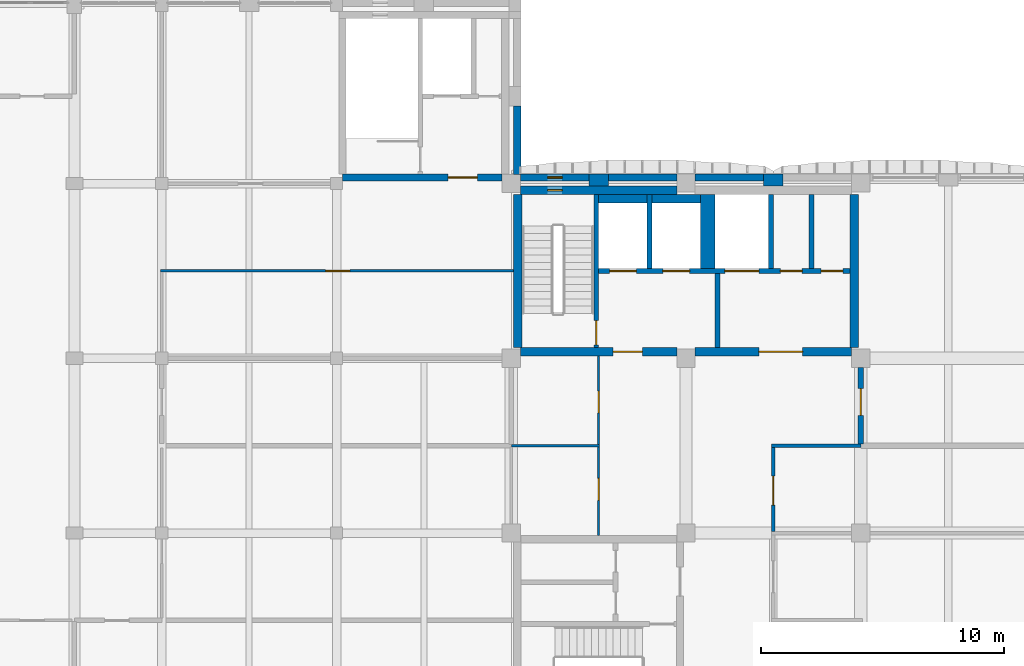
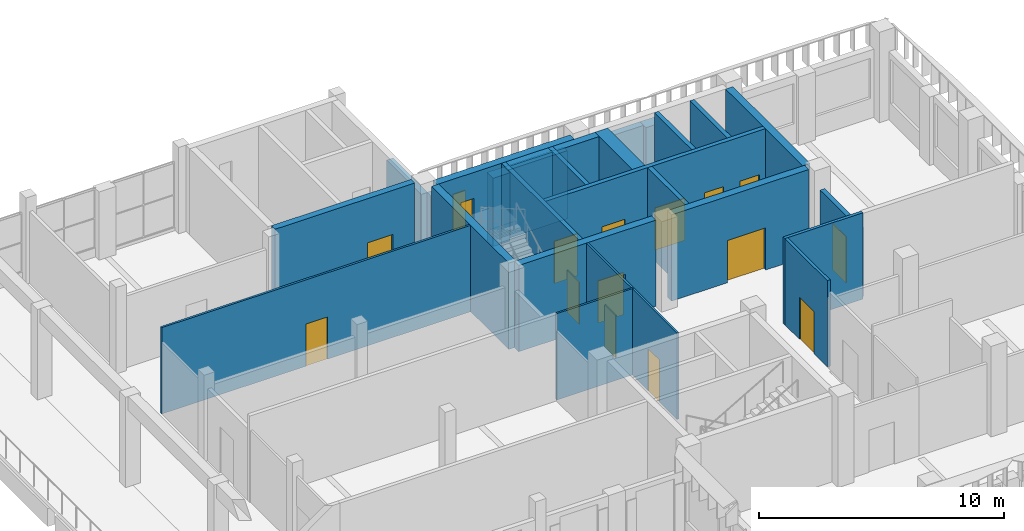
# One storey, part 21 of 54: 28 walls, 14 doors, 2 windows, 16 openings.
"""IFC4 building model written with IfcOpenShell, lengths in metres."""

from ifc_helpers import new_model, si_unit, direction, frame, frame_2d, origin, place, context, subcontext, project, spatial, rectangle, extrude, material, layer, layer_set, type_object, element, fill, save


model = new_model("IFC4")

# Units and contexts
model_context = context("Model", 3, precision=1e-05, world=origin(), true_north=direction((0.0, 1.0)))
body_context = subcontext(model_context, "Body", "Model", "MODEL_VIEW")
ifc_project = project(units=[si_unit("LENGTHUNIT", "METRE"), si_unit("AREAUNIT", "SQUARE_METRE"), si_unit("VOLUMEUNIT", "CUBIC_METRE"), si_unit("PLANEANGLEUNIT", "RADIAN"), si_unit("MASSUNIT", "GRAM", prefix="KILO")], contexts=[model_context])

# Site, building, storey
site_placement = place(None, origin())
site = spatial("IfcSite", under=ifc_project, at=site_placement, CompositionType="ELEMENT")
building_placement = place(site_placement, origin())
building = spatial("IfcBuilding", under=site, at=building_placement, Name="Ussher Court Research Institute", CompositionType="ELEMENT")
storey_placement = place(building_placement, frame((0.0, 0.0, 14.39990234375)))
storey = spatial("IfcBuildingStorey", under=building, at=storey_placement, Name="L03", CompositionType="ELEMENT", Elevation=14.39990234375)

# Wall
ifc_material_1 = material(Name="Limestone facing on blockwork", Category="masonry")
ifc_layer_1 = layer(ifc_material_1, 0.300048828125)
ifc_layer_set_1 = layer_set([ifc_layer_1], Name="Limestone facing on blockwork")
wall_type_1 = type_object("IfcWallType", Name="External wall 300 stair enclosure", PredefinedType="SOLIDWALL", material=ifc_layer_set_1)
wall_1_placement = place(storey_placement, frame((82.449951171875, 36.0, 0.0), z_axis=(0.0, 0.0, 1.0), x_axis=(0.0, -1.0, 0.0)))
element("IfcWall", 1, at=wall_1_placement, inside=storey, type_object=wall_type_1, Name="External wall EW5 L03", PredefinedType="SOLIDWALL", context=body_context, shape_type="SweptSolid", body=[
    extrude(rectangle(XDim=2.824951171875, YDim=0.300048828125, at=frame_2d((1.41259765625, 0.0))), origin(), (0.0, 0.0, 1.0), 3.400146484375),
])

# Wall, opening, window
wall_2_placement = place(storey_placement, frame((82.574951171875, 33.050048828125, 0.0), z_axis=(0.0, 0.0, 1.0), x_axis=(1.0, 0.0, 0.0)))
wall_2 = element("IfcWall", 2, at=wall_2_placement, inside=storey, type_object=wall_type_1, Name="External wall EW5 L03", PredefinedType="SOLIDWALL", context=body_context, shape_type="SweptSolid", body=[
    extrude(rectangle(XDim=2.824951171875, YDim=0.300048828125, at=frame_2d((1.41259765625, 0.0))), origin(), (0.0, 0.0, 1.0), 3.400146484375),
])
opening_1_placement = place(wall_2_placement, frame((1.125, 0.0, 1.199951171875)))
opening_1 = element("IfcOpeningElement", 3, at=opening_1_placement, cuts=wall_2, Name="Opening W25", PredefinedType="OPENING", context=body_context, shape_type="SweptSolid", body=[
    extrude(rectangle(XDim=0.60009765625, YDim=1.800048828125, at=frame_2d((0.300048828125, 0.89990234375))), frame((0.0, 0.16015625, 0.0), z_axis=(0.0, -1.0, 0.0), x_axis=(1.0, 0.0, 0.0)), (0.0, 0.0, 1.0), 0.320068359375),
])
ifc_material_2 = material(Name="Bronze anodised aluminium with double glazing", Category="aluminium")
window_type = type_object("IfcWindowType", Name="Stair light slot window 600x1800 fire-resisting glazing", PartitioningType="SINGLE_PANEL", PredefinedType="WINDOW", material=ifc_material_2)
window_1_placement = place(opening_1_placement, origin())
window_1 = element("IfcWindow", 4, at=window_1_placement, inside=storey, type_object=window_type, Name="Window W25 L03", OverallHeight=1.800048828125, OverallWidth=0.60009765625, PartitioningType="SINGLE_PANEL", PredefinedType="WINDOW", context=body_context, shape_type="SweptSolid", body=[
    extrude(rectangle(XDim=0.60009765625, YDim=1.800048828125, at=frame_2d((0.300048828125, 0.89990234375))), frame((0.0, 0.030029296875, 0.0), z_axis=(0.0, -1.0, 0.0), x_axis=(1.0, 0.0, 0.0)), (0.0, 0.0, 1.0), 0.06005859375),
])
fill(opening_1, window_1)

# Walls
wall_3_placement = place(storey_placement, frame((86.199951171875, 33.050048828125, 0.0), z_axis=(0.0, 0.0, 1.0), x_axis=(1.0, 0.0, 0.0)))
element("IfcWall", 5, at=wall_3_placement, inside=storey, type_object=wall_type_1, Name="External wall EW5 L03", PredefinedType="SOLIDWALL", context=body_context, shape_type="SweptSolid", body=[
    extrude(rectangle(XDim=2.824951171875, YDim=0.300048828125, at=frame_2d((1.41259765625, 0.0))), origin(), (0.0, 0.0, 1.0), 3.400146484375),
])
wall_4_placement = place(storey_placement, frame((89.77490234375, 33.050048828125, 0.0), z_axis=(0.0, 0.0, 1.0), x_axis=(1.0, 0.0, 0.0)))
element("IfcWall", 6, at=wall_4_placement, inside=storey, type_object=wall_type_1, Name="External wall EW5 L03", PredefinedType="SOLIDWALL", context=body_context, shape_type="SweptSolid", body=[
    extrude(rectangle(XDim=2.8251953125, YDim=0.300048828125, at=frame_2d((1.41259765625, 0.0))), origin(), (0.0, 0.0, 1.0), 3.400146484375),
])

# Wall, opening, door
ifc_material_3 = material(Name="Dense concrete blockwork", Category="masonry")
ifc_layer_2 = layer(ifc_material_3, 0.219970703125)
ifc_layer_set_2 = layer_set([ifc_layer_2], Name="Dense concrete blockwork")
wall_type_2 = type_object("IfcWallType", Name="Hazardous store dense block 220 EI 60", PredefinedType="PARTITIONING", material=ifc_layer_set_2)
wall_5_placement = place(storey_placement, frame((96.60009765625, 25.22509765625, 0.0), z_axis=(0.0, 0.0, 1.0), x_axis=(0.0, -1.0, 0.0)))
wall_5 = element("IfcWall", 7, at=wall_5_placement, inside=storey, type_object=wall_type_2, Name="Fire partition", PredefinedType="PARTITIONING", context=body_context, shape_type="SweptSolid", body=[
    extrude(rectangle(XDim=3.155029296875, YDim=0.219970703125, at=frame_2d((1.57763671875, 0.0))), origin(), (0.0, 0.0, 1.0), 3.47021484375),
])
opening_2_placement = place(wall_5_placement, frame((0.875, 0.0, 0.0)))
opening_2 = element("IfcOpeningElement", 8, at=opening_2_placement, cuts=wall_5, Name="Opening D03061", PredefinedType="OPENING", context=body_context, shape_type="SweptSolid", body=[
    extrude(rectangle(XDim=1.10009765625, YDim=2.300048828125, at=frame_2d((0.550048828125, 1.14990234375))), frame((0.0, 0.1201171875, 0.0), z_axis=(0.0, -1.0, 0.0), x_axis=(1.0, 0.0, 0.0)), (0.0, 0.0, 1.0), 0.239990234375),
])
ifc_material_4 = material(Name="Painted steel faced fire door", Category="steel")
door_type_1 = type_object("IfcDoorType", Name="Hazardous store door 1100x2300 FD60", OperationType="NOTDEFINED", PredefinedType="DOOR", material=ifc_material_4)
door_1_placement = place(opening_2_placement, origin())
door_1 = element("IfcDoor", 9, at=door_1_placement, inside=storey, type_object=door_type_1, Name="Door D03061", OperationType="SINGLE_SWING_LEFT", OverallHeight=2.300048828125, OverallWidth=1.10009765625, PredefinedType="DOOR", context=body_context, shape_type="SweptSolid", body=[
    extrude(rectangle(XDim=1.10009765625, YDim=2.300048828125, at=frame_2d((0.550048828125, 1.14990234375))), frame((0.0, 0.02490234375, 0.0), z_axis=(0.0, -1.0, 0.0), x_axis=(1.0, 0.0, 0.0)), (0.0, 0.0, 1.0), 0.050048828125),
])
fill(opening_2, door_1)

# Wall
ifc_material_5 = material(Name="Plastered blockwork", Category="masonry")
ifc_layer_3 = layer(ifc_material_5, 0.139892578125)
ifc_layer_set_3 = layer_set([ifc_layer_3], Name="Plastered blockwork")
wall_type_3 = type_object("IfcWallType", Name="Laboratory blockwork partition 140", PredefinedType="PARTITIONING", material=ifc_layer_set_3)
wall_6_placement = place(storey_placement, frame((92.929931640625, 22.0, 0.0), z_axis=(0.0, 0.0, 1.0), x_axis=(1.0, 0.0, 0.0)))
element("IfcWall", 10, at=wall_6_placement, inside=storey, type_object=wall_type_3, Name="Partition", PredefinedType="PARTITIONING", context=body_context, shape_type="SweptSolid", body=[
    extrude(rectangle(XDim=3.670166015625, YDim=0.139892578125, at=frame_2d((1.8349609375, 0.0))), origin(), (0.0, 0.0, 1.0), 4.300048828125),
])

# Wall, opening, door
wall_7_placement = place(storey_placement, frame((93.0, 21.929931640625, 0.0), z_axis=(0.0, 0.0, 1.0), x_axis=(0.0, -1.0, 0.0)))
wall_7 = element("IfcWall", 11, at=wall_7_placement, inside=storey, type_object=wall_type_3, Name="Partition", PredefinedType="PARTITIONING", context=body_context, shape_type="SweptSolid", body=[
    extrude(rectangle(XDim=3.4599609375, YDim=0.139892578125, at=frame_2d((1.72998046875, 0.0))), origin(), (0.0, 0.0, 1.0), 4.300048828125),
])
opening_3_placement = place(wall_7_placement, frame((1.179931640625, 0.0, 0.0)))
opening_3 = element("IfcOpeningElement", 12, at=opening_3_placement, cuts=wall_7, Name="Opening D03057", PredefinedType="OPENING", context=body_context, shape_type="SweptSolid", body=[
    extrude(rectangle(XDim=1.199951171875, YDim=2.10009765625, at=frame_2d((0.60009765625, 1.050048828125))), frame((0.0, 0.080078125, 0.0), z_axis=(0.0, -1.0, 0.0), x_axis=(1.0, 0.0, 0.0)), (0.0, 0.0, 1.0), 0.159912109375),
])
ifc_material_6 = material(Name="Veneered timber door", Category="wood")
door_type_2 = type_object("IfcDoorType", Name="Laboratory door 1200x2100", OperationType="NOTDEFINED", PredefinedType="DOOR", material=ifc_material_6)
door_2_placement = place(opening_3_placement, origin())
door_2 = element("IfcDoor", 13, at=door_2_placement, inside=storey, type_object=door_type_2, Name="Door D03057", OperationType="SINGLE_SWING_RIGHT", OverallHeight=2.10009765625, OverallWidth=1.199951171875, PredefinedType="DOOR", context=body_context, shape_type="SweptSolid", body=[
    extrude(rectangle(XDim=1.199951171875, YDim=2.10009765625, at=frame_2d((0.60009765625, 1.050048828125))), frame((0.0, 0.02490234375, 0.0), z_axis=(0.0, -1.0, 0.0), x_axis=(1.0, 0.0, 0.0)), (0.0, 0.0, 1.0), 0.050048828125),
])
fill(opening_3, door_2)

ifc_material_7 = material(Name="Plastered blockwork", Category="masonry")
ifc_layer_4 = layer(ifc_material_7, 0.10009765625)
ifc_layer_set_4 = layer_set([ifc_layer_4], Name="Plastered blockwork")
wall_type_4 = type_object("IfcWallType", Name="Partition plastered blockwork 100", PredefinedType="PARTITIONING", material=ifc_layer_set_4)
wall_8_placement = place(storey_placement, frame((82.300048828125, 29.199951171875, 0.0), z_axis=(0.0, 0.0, 1.0), x_axis=(-1.0, 0.0, 0.0)))
wall_8 = element("IfcWall", 14, at=wall_8_placement, inside=storey, type_object=wall_type_4, Name="Partition", PredefinedType="PARTITIONING", context=body_context, shape_type="SweptSolid", body=[
    extrude(rectangle(XDim=14.550048828125, YDim=0.10009765625, at=frame_2d((7.27490234375, 0.0))), origin(), (0.0, 0.0, 1.0), 4.300048828125),
])
opening_4_placement = place(wall_8_placement, frame((6.75, 0.0, 0.0)))
opening_4 = element("IfcOpeningElement", 15, at=opening_4_placement, cuts=wall_8, Name="Opening D03037", PredefinedType="OPENING", context=body_context, shape_type="SweptSolid", body=[
    extrude(rectangle(XDim=1.0, YDim=2.10009765625, at=frame_2d((0.5, 1.050048828125))), frame((0.0, 0.06005859375, 0.0), z_axis=(0.0, -1.0, 0.0), x_axis=(1.0, 0.0, 0.0)), (0.0, 0.0, 1.0), 0.1201171875),
])
ifc_material_8 = material(Name="Veneered timber door", Category="wood")
door_type_3 = type_object("IfcDoorType", Name="Office door 1000x2100", OperationType="NOTDEFINED", PredefinedType="DOOR", material=ifc_material_8)
door_3_placement = place(opening_4_placement, origin())
door_3 = element("IfcDoor", 16, at=door_3_placement, inside=storey, type_object=door_type_3, Name="Door D03037", OperationType="SINGLE_SWING_LEFT", OverallHeight=2.10009765625, OverallWidth=1.0, PredefinedType="DOOR", context=body_context, shape_type="SweptSolid", body=[
    extrude(rectangle(XDim=1.0, YDim=2.10009765625, at=frame_2d((0.5, 1.050048828125))), frame((0.0, 0.02490234375, 0.0), z_axis=(0.0, -1.0, 0.0), x_axis=(1.0, 0.0, 0.0)), (0.0, 0.0, 1.0), 0.050048828125),
])
fill(opening_4, door_3)

# Walls
ifc_material_9 = material(Name="Blockwork with cream render", Category="masonry")
ifc_layer_5 = layer(ifc_material_9, 0.5)
ifc_layer_set_5 = layer_set([ifc_layer_5], Name="Blockwork with cream render")
wall_type_5 = type_object("IfcWallType", Name="Pier 800x500 cream render", PredefinedType="SOLIDWALL", material=ifc_layer_set_5)
wall_9_placement = place(storey_placement, frame((85.39990234375, 32.949951171875, 0.0), z_axis=(0.0, 0.0, 1.0), x_axis=(1.0, 0.0, 0.0)))
element("IfcWall", 17, at=wall_9_placement, inside=storey, type_object=wall_type_5, Name="Pier PR1 L03", PredefinedType="SOLIDWALL", context=body_context, shape_type="SweptSolid", body=[
    extrude(rectangle(XDim=0.800048828125, YDim=0.5, at=frame_2d((0.39990234375, 0.0))), origin(), (0.0, 0.0, 1.0), 3.400146484375),
])
wall_10_placement = place(storey_placement, frame((92.60009765625, 32.949951171875, 0.0), z_axis=(0.0, 0.0, 1.0), x_axis=(1.0, 0.0, 0.0)))
element("IfcWall", 18, at=wall_10_placement, inside=storey, type_object=wall_type_5, Name="Pier PR1 L03", PredefinedType="SOLIDWALL", context=body_context, shape_type="SweptSolid", body=[
    extrude(rectangle(XDim=0.7998046875, YDim=0.5, at=frame_2d((0.39990234375, 0.0))), origin(), (0.0, 0.0, 1.0), 3.400146484375),
])

# Wall, opening, door
ifc_material_10 = material(Name="Concrete C35/45", Category="concrete")
ifc_layer_6 = layer(ifc_material_10, 0.199951171875)
ifc_layer_set_6 = layer_set([ifc_layer_6], Name="Concrete C35/45")
wall_type_6 = type_object("IfcWallType", Name="RC core wall 200", PredefinedType="SHEAR", material=ifc_layer_set_6)
wall_11_placement = place(storey_placement, frame((85.699951171875, 26.050048828125, 0.0), z_axis=(0.0, 0.0, 1.0), x_axis=(0.0, 1.0, 0.0)))
wall_11 = element("IfcWall", 19, at=wall_11_placement, inside=storey, type_object=wall_type_6, Name="Core wall T1", PredefinedType="SHEAR", context=body_context, shape_type="SweptSolid", body=[
    extrude(rectangle(XDim=6.300048828125, YDim=0.199951171875, at=frame_2d((3.14990234375, 0.0))), origin(), (0.0, 0.0, 1.0), 4.300048828125),
])
opening_5_placement = place(wall_11_placement, frame((0.10009765625, 0.0, 0.0)))
opening_5 = element("IfcOpeningElement", 20, at=opening_5_placement, cuts=wall_11, Name="Opening D03046", PredefinedType="OPENING", context=body_context, shape_type="SweptSolid", body=[
    extrude(rectangle(XDim=1.0, YDim=2.10009765625, at=frame_2d((0.5, 1.050048828125))), frame((0.0, 0.10986328125, 0.0), z_axis=(0.0, -1.0, 0.0), x_axis=(1.0, 0.0, 0.0)), (0.0, 0.0, 1.0), 0.219970703125),
])
ifc_material_11 = material(Name="Painted steel faced fire door", Category="steel")
door_type_4 = type_object("IfcDoorType", Name="Fire door 1000x2100 FD60", OperationType="NOTDEFINED", PredefinedType="DOOR", material=ifc_material_11)
door_4_placement = place(opening_5_placement, origin())
door_4 = element("IfcDoor", 21, at=door_4_placement, inside=storey, type_object=door_type_4, Name="Door D03046", OperationType="SINGLE_SWING_LEFT", OverallHeight=2.10009765625, OverallWidth=1.0, PredefinedType="DOOR", context=body_context, shape_type="SweptSolid", body=[
    extrude(rectangle(XDim=1.0, YDim=2.10009765625, at=frame_2d((0.5, 1.050048828125))), frame((0.0, 0.02490234375, 0.0), z_axis=(0.0, -1.0, 0.0), x_axis=(1.0, 0.0, 0.0)), (0.0, 0.0, 1.0), 0.050048828125),
])
fill(opening_5, door_4)

# Wall
wall_12_placement = place(storey_placement, frame((90.699951171875, 26.050048828125, 0.0), z_axis=(0.0, 0.0, 1.0), x_axis=(0.0, 1.0, 0.0)))
element("IfcWall", 22, at=wall_12_placement, inside=storey, type_object=wall_type_6, Name="Core wall T1", PredefinedType="SHEAR", context=body_context, shape_type="SweptSolid", body=[
    extrude(rectangle(XDim=3.050048828125, YDim=0.199951171875, at=frame_2d((1.52490234375, 0.0))), origin(), (0.0, 0.0, 1.0), 4.300048828125),
])

# Wall, openings, doors
wall_13_placement = place(storey_placement, frame((96.14990234375, 29.199951171875, 0.0), z_axis=(0.0, 0.0, 1.0), x_axis=(-1.0, 0.0, 0.0)))
wall_13 = element("IfcWall", 23, at=wall_13_placement, inside=storey, type_object=wall_type_6, Name="Core wall T1", PredefinedType="SHEAR", context=body_context, shape_type="SweptSolid", body=[
    extrude(rectangle(XDim=10.349853515625, YDim=0.199951171875, at=frame_2d((5.1748046875, 0.0))), origin(), (0.0, 0.0, 1.0), 4.300048828125),
])
opening_6_placement = place(wall_13_placement, frame((8.800048828125, 0.0, 0.0)))
opening_6 = element("IfcOpeningElement", 24, at=opening_6_placement, cuts=wall_13, Name="Opening LD47", PredefinedType="OPENING", context=body_context, shape_type="SweptSolid", body=[
    extrude(rectangle(XDim=1.10009765625, YDim=2.10009765625, at=frame_2d((0.550048828125, 1.050048828125))), frame((0.0, 0.10986328125, 0.0), z_axis=(0.0, -1.0, 0.0), x_axis=(1.0, 0.0, 0.0)), (0.0, 0.0, 1.0), 0.219970703125),
])
opening_7_placement = place(wall_13_placement, frame((6.60009765625, 0.0, 0.0)))
opening_7 = element("IfcOpeningElement", 25, at=opening_7_placement, cuts=wall_13, Name="Opening LD48", PredefinedType="OPENING", context=body_context, shape_type="SweptSolid", body=[
    extrude(rectangle(XDim=1.10009765625, YDim=2.10009765625, at=frame_2d((0.550048828125, 1.050048828125))), frame((0.0, 0.10986328125, 0.0), z_axis=(0.0, -1.0, 0.0), x_axis=(1.0, 0.0, 0.0)), (0.0, 0.0, 1.0), 0.219970703125),
])
opening_8_placement = place(wall_13_placement, frame((3.75, 0.0, 0.0)))
opening_8 = element("IfcOpeningElement", 26, at=opening_8_placement, cuts=wall_13, Name="Opening LD49", PredefinedType="OPENING", context=body_context, shape_type="SweptSolid", body=[
    extrude(rectangle(XDim=1.39990234375, YDim=2.10009765625, at=frame_2d((0.699951171875, 1.050048828125))), frame((0.0, 0.10986328125, 0.0), z_axis=(0.0, -1.0, 0.0), x_axis=(1.0, 0.0, 0.0)), (0.0, 0.0, 1.0), 0.219970703125),
])
opening_9_placement = place(wall_13_placement, frame((1.96240234375, 0.0, 0.0)))
opening_9 = element("IfcOpeningElement", 27, at=opening_9_placement, cuts=wall_13, Name="Opening D03059", PredefinedType="OPENING", context=body_context, shape_type="SweptSolid", body=[
    extrude(rectangle(XDim=0.89990234375, YDim=2.10009765625, at=frame_2d((0.449951171875, 1.050048828125))), frame((0.0, 0.10986328125, 0.0), z_axis=(0.0, -1.0, 0.0), x_axis=(1.0, 0.0, 0.0)), (0.0, 0.0, 1.0), 0.219970703125),
])
opening_10_placement = place(wall_13_placement, frame((0.28759765625, 0.0, 0.0)))
opening_10 = element("IfcOpeningElement", 28, at=opening_10_placement, cuts=wall_13, Name="Opening D03060", PredefinedType="OPENING", context=body_context, shape_type="SweptSolid", body=[
    extrude(rectangle(XDim=0.89990234375, YDim=2.10009765625, at=frame_2d((0.449951171875, 1.050048828125))), frame((0.0, 0.10986328125, 0.0), z_axis=(0.0, -1.0, 0.0), x_axis=(1.0, 0.0, 0.0)), (0.0, 0.0, 1.0), 0.219970703125),
])
ifc_material_12 = material(Name="Painted steel faced fire door", Category="steel")
door_type_5 = type_object("IfcDoorType", Name="Fire door 900x2100 FD60", OperationType="NOTDEFINED", PredefinedType="DOOR", material=ifc_material_12)
door_5_placement = place(opening_9_placement, origin())
door_5 = element("IfcDoor", 29, at=door_5_placement, inside=storey, type_object=door_type_5, Name="Door D03059", OperationType="SINGLE_SWING_LEFT", OverallHeight=2.10009765625, OverallWidth=0.89990234375, PredefinedType="DOOR", context=body_context, shape_type="SweptSolid", body=[
    extrude(rectangle(XDim=0.89990234375, YDim=2.10009765625, at=frame_2d((0.449951171875, 1.050048828125))), frame((0.0, 0.02490234375, 0.0), z_axis=(0.0, -1.0, 0.0), x_axis=(1.0, 0.0, 0.0)), (0.0, 0.0, 1.0), 0.050048828125),
])
fill(opening_9, door_5)
door_6_placement = place(opening_10_placement, origin())
door_6 = element("IfcDoor", 30, at=door_6_placement, inside=storey, type_object=door_type_5, Name="Door D03060", OperationType="SINGLE_SWING_LEFT", OverallHeight=2.10009765625, OverallWidth=0.89990234375, PredefinedType="DOOR", context=body_context, shape_type="SweptSolid", body=[
    extrude(rectangle(XDim=0.89990234375, YDim=2.10009765625, at=frame_2d((0.449951171875, 1.050048828125))), frame((0.0, 0.02490234375, 0.0), z_axis=(0.0, -1.0, 0.0), x_axis=(1.0, 0.0, 0.0)), (0.0, 0.0, 1.0), 0.050048828125),
])
fill(opening_10, door_6)
ifc_material_13 = material(Name="Stainless steel lift door", Category="steel")
door_type_6 = type_object("IfcDoorType", Name="Lift landing door 1100x2100 sliding", OperationType="DOUBLE_DOOR_SLIDING", PredefinedType="DOOR", material=ifc_material_13)
door_7_placement = place(opening_6_placement, origin())
door_7 = element("IfcDoor", 31, at=door_7_placement, inside=storey, type_object=door_type_6, Name="Landing door T1-1 L03", OperationType="DOUBLE_DOOR_SLIDING", OverallHeight=2.10009765625, OverallWidth=1.10009765625, PredefinedType="DOOR", context=body_context, shape_type="SweptSolid", body=[
    extrude(rectangle(XDim=1.10009765625, YDim=2.10009765625, at=frame_2d((0.550048828125, 1.050048828125))), frame((0.0, 0.02490234375, 0.0), z_axis=(0.0, -1.0, 0.0), x_axis=(1.0, 0.0, 0.0)), (0.0, 0.0, 1.0), 0.050048828125),
])
fill(opening_6, door_7)
door_8_placement = place(opening_7_placement, origin())
door_8 = element("IfcDoor", 32, at=door_8_placement, inside=storey, type_object=door_type_6, Name="Landing door T1-2 L03", OperationType="DOUBLE_DOOR_SLIDING", OverallHeight=2.10009765625, OverallWidth=1.10009765625, PredefinedType="DOOR", context=body_context, shape_type="SweptSolid", body=[
    extrude(rectangle(XDim=1.10009765625, YDim=2.10009765625, at=frame_2d((0.550048828125, 1.050048828125))), frame((0.0, 0.02490234375, 0.0), z_axis=(0.0, -1.0, 0.0), x_axis=(1.0, 0.0, 0.0)), (0.0, 0.0, 1.0), 0.050048828125),
])
fill(opening_7, door_8)
ifc_material_14 = material(Name="Stainless steel lift door", Category="steel")
door_type_7 = type_object("IfcDoorType", Name="Lift landing door 1400x2100 sliding", OperationType="DOUBLE_DOOR_SLIDING", PredefinedType="DOOR", material=ifc_material_14)
door_9_placement = place(opening_8_placement, origin())
door_9 = element("IfcDoor", 33, at=door_9_placement, inside=storey, type_object=door_type_7, Name="Landing door T1-3 L03", OperationType="DOUBLE_DOOR_SLIDING", OverallHeight=2.10009765625, OverallWidth=1.39990234375, PredefinedType="DOOR", context=body_context, shape_type="SweptSolid", body=[
    extrude(rectangle(XDim=1.39990234375, YDim=2.10009765625, at=frame_2d((0.699951171875, 1.050048828125))), frame((0.0, 0.02490234375, 0.0), z_axis=(0.0, -1.0, 0.0), x_axis=(1.0, 0.0, 0.0)), (0.0, 0.0, 1.0), 0.050048828125),
])
fill(opening_8, door_9)

# Walls
for number, where, z_axis, x_axis, name in (
    (34, (87.89990234375, 29.300048828125, 0.0), (0.0, 0.0, 1.0), (0.0, 1.0, 0.0), "Core wall T1"),
    (35, (92.89990234375, 29.300048828125, 0.0), (0.0, 0.0, 1.0), (0.0, 1.0, 0.0), "Core wall T1"),
    (36, (94.574951171875, 29.300048828125, 0.0), (0.0, 0.0, 1.0), (0.0, 1.0, 0.0), "Core wall T1"),
):
    element("IfcWall", number, at=place(storey_placement, frame(where, z_axis=z_axis, x_axis=x_axis)), inside=storey, type_object=wall_type_6, Name=name, PredefinedType="SHEAR", context=body_context, shape_type="SweptSolid", body=[
        extrude(rectangle(XDim=3.050048828125, YDim=0.199951171875, at=frame_2d((1.52490234375, 0.0))), origin(), (0.0, 0.0, 1.0), 4.300048828125),
    ])

# Wall, opening, door
ifc_material_15 = material(Name="Concrete C35/45", Category="concrete")
ifc_layer_7 = layer(ifc_material_15, 0.300048828125)
ifc_layer_set_7 = layer_set([ifc_layer_7], Name="Concrete C35/45")
wall_type_7 = type_object("IfcWallType", Name="RC core wall 300", PredefinedType="SHEAR", material=ifc_layer_set_7)
wall_14_placement = place(storey_placement, frame((75.25, 33.050048828125, 0.0), z_axis=(0.0, 0.0, 1.0), x_axis=(1.0, 0.0, 0.0)))
wall_14 = element("IfcWall", 37, at=wall_14_placement, inside=storey, type_object=wall_type_7, Name="Core wall E1", PredefinedType="SHEAR", context=body_context, shape_type="SweptSolid", body=[
    extrude(rectangle(XDim=6.574951171875, YDim=0.300048828125, at=frame_2d((3.28759765625, 0.0))), origin(), (0.0, 0.0, 1.0), 4.300048828125),
])
opening_11_placement = place(wall_14_placement, frame((4.35009765625, 0.0, 0.0)))
opening_11 = element("IfcOpeningElement", 38, at=opening_11_placement, cuts=wall_14, Name="Opening D03042", PredefinedType="OPENING", context=body_context, shape_type="SweptSolid", body=[
    extrude(rectangle(XDim=1.199951171875, YDim=2.10009765625, at=frame_2d((0.60009765625, 1.050048828125))), frame((0.0, 0.16015625, 0.0), z_axis=(0.0, -1.0, 0.0), x_axis=(1.0, 0.0, 0.0)), (0.0, 0.0, 1.0), 0.320068359375),
])
ifc_material_16 = material(Name="Painted steel faced fire door", Category="steel")
door_type_8 = type_object("IfcDoorType", Name="Fire door 1200x2100 FD60", OperationType="NOTDEFINED", PredefinedType="DOOR", material=ifc_material_16)
door_10_placement = place(opening_11_placement, origin())
door_10 = element("IfcDoor", 39, at=door_10_placement, inside=storey, type_object=door_type_8, Name="Door D03042", OperationType="SINGLE_SWING_RIGHT", OverallHeight=2.10009765625, OverallWidth=1.199951171875, PredefinedType="DOOR", context=body_context, shape_type="SweptSolid", body=[
    extrude(rectangle(XDim=1.199951171875, YDim=2.10009765625, at=frame_2d((0.60009765625, 1.050048828125))), frame((0.0, 0.02490234375, 0.0), z_axis=(0.0, -1.0, 0.0), x_axis=(1.0, 0.0, 0.0)), (0.0, 0.0, 1.0), 0.050048828125),
])
fill(opening_11, door_10)

ifc_material_17 = material(Name="Concrete C35/45", Category="concrete")
ifc_layer_8 = layer(ifc_material_17, 0.35009765625)
ifc_layer_set_8 = layer_set([ifc_layer_8], Name="Concrete C35/45")
wall_type_8 = type_object("IfcWallType", Name="RC core wall 350", PredefinedType="SHEAR", material=ifc_layer_set_8)
wall_15_placement = place(storey_placement, frame((82.574951171875, 25.875, 0.0), z_axis=(0.0, 0.0, 1.0), x_axis=(1.0, 0.0, 0.0)))
wall_15 = element("IfcWall", 40, at=wall_15_placement, inside=storey, type_object=wall_type_8, Name="Core wall T1", PredefinedType="SHEAR", context=body_context, shape_type="SweptSolid", body=[
    extrude(rectangle(XDim=6.449951171875, YDim=0.35009765625, at=frame_2d((3.22509765625, 0.0))), origin(), (0.0, 0.0, 1.0), 4.300048828125),
])
opening_12_placement = place(wall_15_placement, frame((3.824951171875, 0.0, 0.0)))
opening_12 = element("IfcOpeningElement", 41, at=opening_12_placement, cuts=wall_15, Name="Opening D03051", PredefinedType="OPENING", context=body_context, shape_type="SweptSolid", body=[
    extrude(rectangle(XDim=1.199951171875, YDim=2.10009765625, at=frame_2d((0.60009765625, 1.050048828125))), frame((0.0, 0.18505859375, 0.0), z_axis=(0.0, -1.0, 0.0), x_axis=(1.0, 0.0, 0.0)), (0.0, 0.0, 1.0), 0.3701171875),
])
door_11_placement = place(opening_12_placement, origin())
door_11 = element("IfcDoor", 42, at=door_11_placement, inside=storey, type_object=door_type_8, Name="Door D03051", OperationType="SINGLE_SWING_RIGHT", OverallHeight=2.10009765625, OverallWidth=1.199951171875, PredefinedType="DOOR", context=body_context, shape_type="SweptSolid", body=[
    extrude(rectangle(XDim=1.199951171875, YDim=2.10009765625, at=frame_2d((0.60009765625, 1.050048828125))), frame((0.0, 0.02490234375, 0.0), z_axis=(0.0, -1.0, 0.0), x_axis=(1.0, 0.0, 0.0)), (0.0, 0.0, 1.0), 0.050048828125),
])
fill(opening_12, door_11)

wall_16_placement = place(storey_placement, frame((89.77490234375, 25.875, 0.0), z_axis=(0.0, 0.0, 1.0), x_axis=(1.0, 0.0, 0.0)))
wall_16 = element("IfcWall", 43, at=wall_16_placement, inside=storey, type_object=wall_type_8, Name="Core wall T1", PredefinedType="SHEAR", context=body_context, shape_type="SweptSolid", body=[
    extrude(rectangle(XDim=6.4501953125, YDim=0.35009765625, at=frame_2d((3.22509765625, 0.0))), origin(), (0.0, 0.0, 1.0), 4.300048828125),
])
opening_13_placement = place(wall_16_placement, frame((2.625, 0.0, 0.0)))
opening_13 = element("IfcOpeningElement", 44, at=opening_13_placement, cuts=wall_16, Name="Opening D03058", PredefinedType="OPENING", context=body_context, shape_type="SweptSolid", body=[
    extrude(rectangle(XDim=1.800048828125, YDim=2.10009765625, at=frame_2d((0.89990234375, 1.050048828125))), frame((0.0, 0.18505859375, 0.0), z_axis=(0.0, -1.0, 0.0), x_axis=(1.0, 0.0, 0.0)), (0.0, 0.0, 1.0), 0.3701171875),
])
ifc_material_18 = material(Name="Painted steel faced fire door", Category="steel")
door_type_9 = type_object("IfcDoorType", Name="Fire door 1800x2100 FD60 double leaf", OperationType="DOUBLE_DOOR_SINGLE_SWING", PredefinedType="DOOR", material=ifc_material_18)
door_12_placement = place(opening_13_placement, origin())
door_12 = element("IfcDoor", 45, at=door_12_placement, inside=storey, type_object=door_type_9, Name="Door D03058", OperationType="SINGLE_SWING_LEFT", OverallHeight=2.10009765625, OverallWidth=1.800048828125, PredefinedType="DOOR", context=body_context, shape_type="SweptSolid", body=[
    extrude(rectangle(XDim=1.800048828125, YDim=2.10009765625, at=frame_2d((0.89990234375, 1.050048828125))), frame((0.0, 0.02490234375, 0.0), z_axis=(0.0, -1.0, 0.0), x_axis=(1.0, 0.0, 0.0)), (0.0, 0.0, 1.0), 0.050048828125),
])
fill(opening_13, door_12)

# Wall, opening, window
wall_17_placement = place(storey_placement, frame((82.574951171875, 32.52490234375, 0.0), z_axis=(0.0, 0.0, 1.0), x_axis=(1.0, 0.0, 0.0)))
wall_17 = element("IfcWall", 46, at=wall_17_placement, inside=storey, type_object=wall_type_8, Name="Core wall T1", PredefinedType="SHEAR", context=body_context, shape_type="SweptSolid", body=[
    extrude(rectangle(XDim=6.449951171875, YDim=0.35009765625, at=frame_2d((3.22509765625, 0.0))), origin(), (0.0, 0.0, 1.0), 4.300048828125),
])
opening_14_placement = place(wall_17_placement, frame((1.125, 0.0, 1.199951171875)))
opening_14 = element("IfcOpeningElement", 47, at=opening_14_placement, cuts=wall_17, Name="Opening W25", PredefinedType="OPENING", context=body_context, shape_type="SweptSolid", body=[
    extrude(rectangle(XDim=0.60009765625, YDim=1.800048828125, at=frame_2d((0.300048828125, 0.89990234375))), frame((0.0, 0.18505859375, 0.0), z_axis=(0.0, -1.0, 0.0), x_axis=(1.0, 0.0, 0.0)), (0.0, 0.0, 1.0), 0.3701171875),
])
window_2_placement = place(opening_14_placement, origin())
window_2 = element("IfcWindow", 48, at=window_2_placement, inside=storey, type_object=window_type, Name="Window stair light T1 L03", OverallHeight=1.800048828125, OverallWidth=0.60009765625, PartitioningType="SINGLE_PANEL", PredefinedType="WINDOW", context=body_context, shape_type="SweptSolid", body=[
    extrude(rectangle(XDim=0.60009765625, YDim=1.800048828125, at=frame_2d((0.300048828125, 0.89990234375))), frame((0.0, 0.030029296875, 0.0), z_axis=(0.0, -1.0, 0.0), x_axis=(1.0, 0.0, 0.0)), (0.0, 0.0, 1.0), 0.06005859375),
])
fill(opening_14, window_2)

# Walls
for number, where, z_axis, x_axis, name in (
    (49, (82.47509765625, 26.050048828125, 0.0), (0.0, 0.0, 1.0), (0.0, 1.0, 0.0), "Core wall T1"),
    (50, (96.324951171875, 26.050048828125, 0.0), (0.0, 0.0, 1.0), (0.0, 1.0, 0.0), "Core wall T1"),
):
    element("IfcWall", number, at=place(storey_placement, frame(where, z_axis=z_axis, x_axis=x_axis)), inside=storey, type_object=wall_type_8, Name=name, PredefinedType="SHEAR", context=body_context, shape_type="SweptSolid", body=[
        extrude(rectangle(XDim=6.300048828125, YDim=0.35009765625, at=frame_2d((3.14990234375, 0.0))), origin(), (0.0, 0.0, 1.0), 4.300048828125),
    ])
for number, where, z_axis, x_axis, name in (
    (51, (85.800048828125, 32.175048828125, 0.0), (0.0, 0.0, 1.0), (1.0, 0.0, 0.0), "Core wall T1"),
    (52, (88.0, 32.175048828125, 0.0), (0.0, 0.0, 1.0), (1.0, 0.0, 0.0), "Core wall T1"),
):
    element("IfcWall", number, at=place(storey_placement, frame(where, z_axis=z_axis, x_axis=x_axis)), inside=storey, type_object=wall_type_8, Name=name, PredefinedType="SHEAR", context=body_context, shape_type="SweptSolid", body=[
        extrude(rectangle(XDim=2.0, YDim=0.35009765625, at=frame_2d((1.0, 0.0))), origin(), (0.0, 0.0, 1.0), 4.300048828125),
    ])
ifc_material_19 = material(Name="Concrete C35/45", Category="concrete")
ifc_layer_9 = layer(ifc_material_19, 0.60009765625)
ifc_layer_set_9 = layer_set([ifc_layer_9], Name="Concrete C35/45")
wall_type_9 = type_object("IfcWallType", Name="RC core wall 600", PredefinedType="SHEAR", material=ifc_layer_set_9)
wall_18_placement = place(storey_placement, frame((90.300048828125, 29.300048828125, 0.0), z_axis=(0.0, 0.0, 1.0), x_axis=(0.0, 1.0, 0.0)))
element("IfcWall", 53, at=wall_18_placement, inside=storey, type_object=wall_type_9, Name="Core wall T1", PredefinedType="SHEAR", context=body_context, shape_type="SweptSolid", body=[
    extrude(rectangle(XDim=3.050048828125, YDim=0.60009765625, at=frame_2d((1.52490234375, 0.0))), origin(), (0.0, 0.0, 1.0), 4.300048828125),
])
ifc_material_20 = material(Name="Moisture-resistant board on steel studs", Category="steel")
ifc_layer_10 = layer(ifc_material_20, 0.090087890625)
ifc_layer_set_10 = layer_set([ifc_layer_10], Name="Moisture-resistant board on steel studs")
wall_type_10 = type_object("IfcWallType", Name="WC lining partition 90", PredefinedType="PARTITIONING", material=ifc_layer_set_10)
wall_19_placement = place(storey_placement, frame((82.199951171875, 22.0, 0.0), z_axis=(0.0, 0.0, 1.0), x_axis=(1.0, 0.0, 0.0)))
element("IfcWall", 54, at=wall_19_placement, inside=storey, type_object=wall_type_10, Name="Partition", PredefinedType="PARTITIONING", context=body_context, shape_type="SweptSolid", body=[
    extrude(rectangle(XDim=3.64501953125, YDim=0.090087890625, at=frame_2d((1.822509765625, 0.0))), origin(), (0.0, 0.0, 1.0), 4.300048828125),
])

# Wall, opening, door
wall_20_placement = place(storey_placement, frame((85.800048828125, 18.300048828125, 0.0), z_axis=(0.0, 0.0, 1.0), x_axis=(0.0, 1.0, 0.0)))
wall_20 = element("IfcWall", 55, at=wall_20_placement, inside=storey, type_object=wall_type_10, Name="Partition", PredefinedType="PARTITIONING", context=body_context, shape_type="SweptSolid", body=[
    extrude(rectangle(XDim=3.655029296875, YDim=0.090087890625, at=frame_2d((1.82763671875, 0.0))), origin(), (0.0, 0.0, 1.0), 4.300048828125),
])
opening_15_placement = place(wall_20_placement, frame((1.449951171875, 0.0, 0.0)))
opening_15 = element("IfcOpeningElement", 56, at=opening_15_placement, cuts=wall_20, Name="Opening D03047", PredefinedType="OPENING", context=body_context, shape_type="SweptSolid", body=[
    extrude(rectangle(XDim=0.89990234375, YDim=2.10009765625, at=frame_2d((0.449951171875, 1.050048828125))), frame((0.0, 0.05517578125, 0.0), z_axis=(0.0, -1.0, 0.0), x_axis=(1.0, 0.0, 0.0)), (0.0, 0.0, 1.0), 0.110107421875),
])
ifc_material_21 = material(Name="Veneered timber door", Category="wood")
door_type_10 = type_object("IfcDoorType", Name="WC door 900x2100", OperationType="NOTDEFINED", PredefinedType="DOOR", material=ifc_material_21)
door_13_placement = place(opening_15_placement, origin())
door_13 = element("IfcDoor", 57, at=door_13_placement, inside=storey, type_object=door_type_10, Name="Door D03047", OperationType="SINGLE_SWING_RIGHT", OverallHeight=2.10009765625, OverallWidth=0.89990234375, PredefinedType="DOOR", context=body_context, shape_type="SweptSolid", body=[
    extrude(rectangle(XDim=0.89990234375, YDim=2.10009765625, at=frame_2d((0.449951171875, 1.050048828125))), frame((0.0, 0.02490234375, 0.0), z_axis=(0.0, -1.0, 0.0), x_axis=(1.0, 0.0, 0.0)), (0.0, 0.0, 1.0), 0.050048828125),
])
fill(opening_15, door_13)

wall_21_placement = place(storey_placement, frame((85.800048828125, 22.044921875, 0.0), z_axis=(0.0, 0.0, 1.0), x_axis=(0.0, 1.0, 0.0)))
wall_21 = element("IfcWall", 58, at=wall_21_placement, inside=storey, type_object=wall_type_10, Name="Partition", PredefinedType="PARTITIONING", context=body_context, shape_type="SweptSolid", body=[
    extrude(rectangle(XDim=3.655029296875, YDim=0.090087890625, at=frame_2d((1.82763671875, 0.0))), origin(), (0.0, 0.0, 1.0), 4.300048828125),
])
opening_16_placement = place(wall_21_placement, frame((1.304931640625, 0.0, 0.0)))
opening_16 = element("IfcOpeningElement", 59, at=opening_16_placement, cuts=wall_21, Name="Opening D03048", PredefinedType="OPENING", context=body_context, shape_type="SweptSolid", body=[
    extrude(rectangle(XDim=0.89990234375, YDim=2.10009765625, at=frame_2d((0.449951171875, 1.050048828125))), frame((0.0, 0.05517578125, 0.0), z_axis=(0.0, -1.0, 0.0), x_axis=(1.0, 0.0, 0.0)), (0.0, 0.0, 1.0), 0.110107421875),
])
door_14_placement = place(opening_16_placement, origin())
door_14 = element("IfcDoor", 60, at=door_14_placement, inside=storey, type_object=door_type_10, Name="Door D03048", OperationType="SINGLE_SWING_LEFT", OverallHeight=2.10009765625, OverallWidth=0.89990234375, PredefinedType="DOOR", context=body_context, shape_type="SweptSolid", body=[
    extrude(rectangle(XDim=0.89990234375, YDim=2.10009765625, at=frame_2d((0.449951171875, 1.050048828125))), frame((0.0, 0.02490234375, 0.0), z_axis=(0.0, -1.0, 0.0), x_axis=(1.0, 0.0, 0.0)), (0.0, 0.0, 1.0), 0.050048828125),
])
fill(opening_16, door_14)

save(model, "model.ifc")
